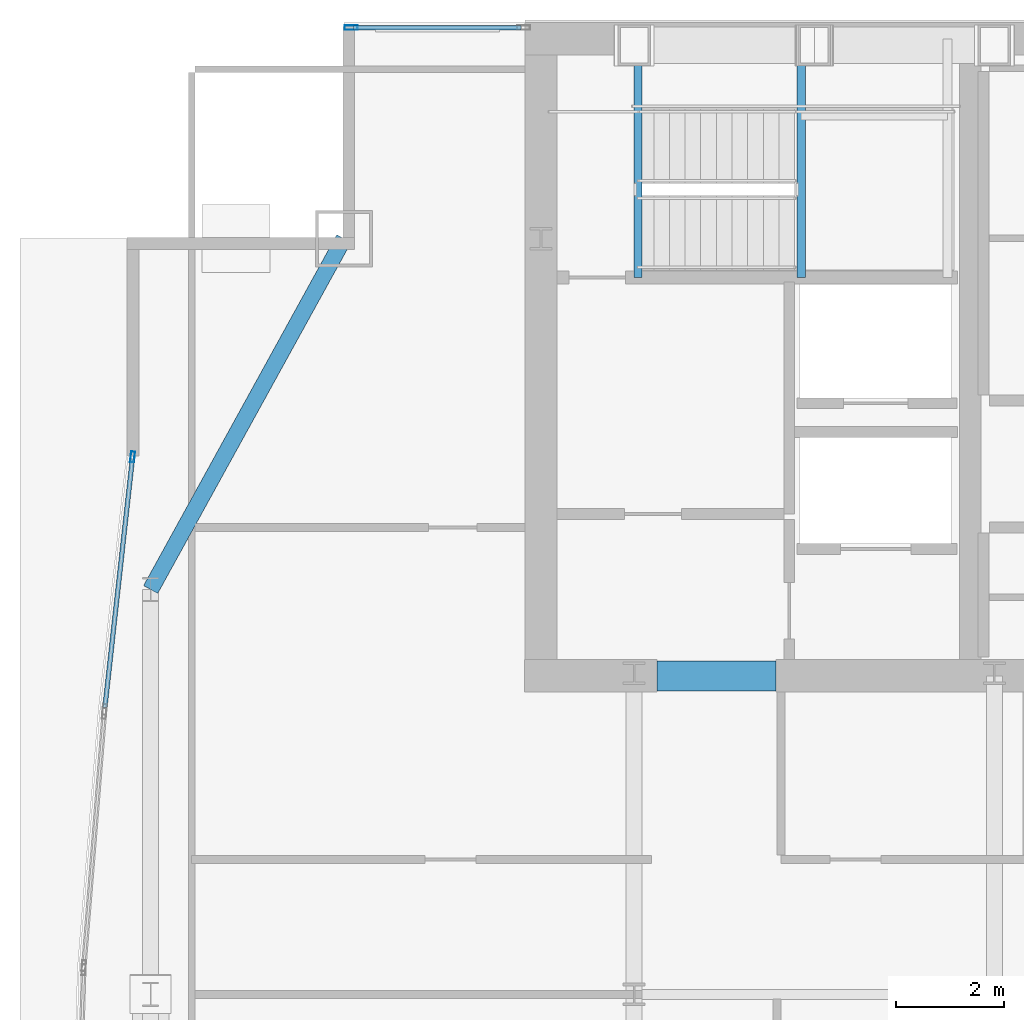
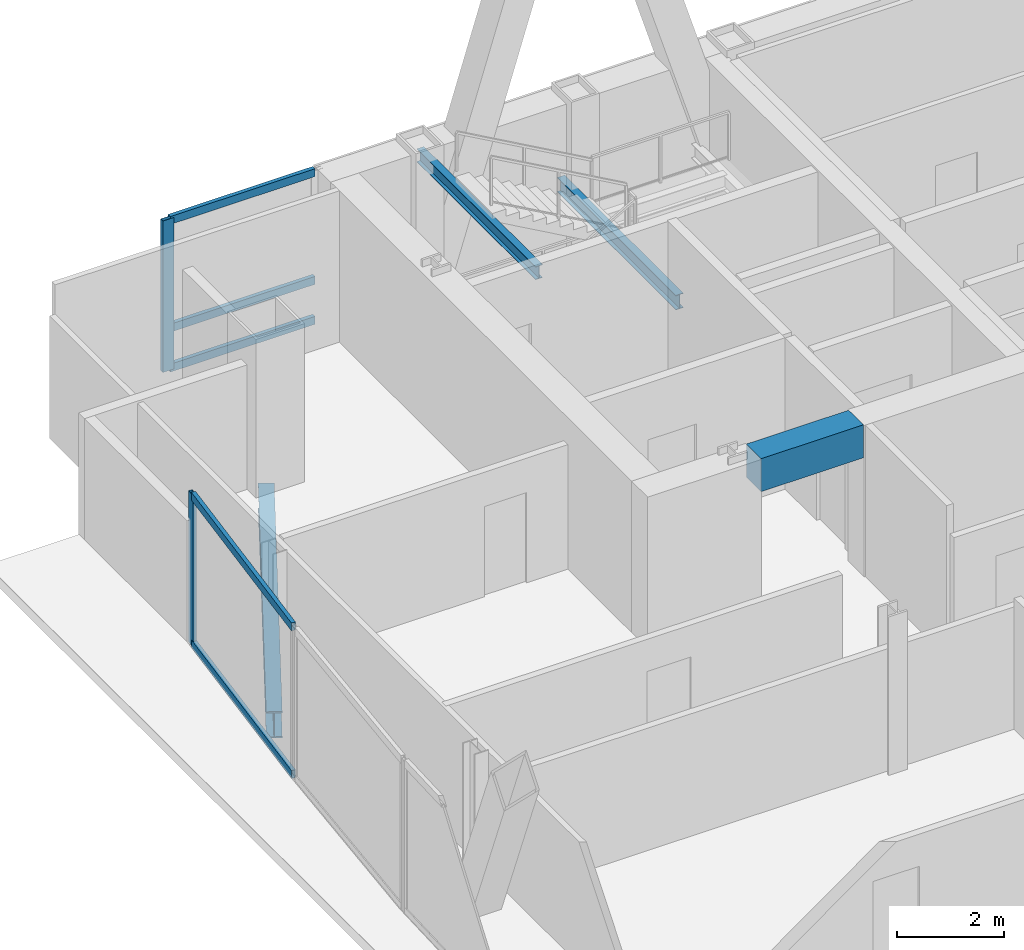
# One storey, part 20 of 30: 7 members, 4 beams, 2 elements without a shape of their own.
"""IFC4 building model written with IfcOpenShell, lengths in metres."""

from ifc_helpers import new_model, si_unit, direction, frame, origin, origin_2d, place, context, subcontext, project, spatial, rectangle, hollow_rectangle, i_section, extrude, material, material_profile, profile_set, type_object, element, aggregate, save


model = new_model("IFC4")

# Units and contexts
model_context = context("Model", 3, precision=1e-05, world=origin(), true_north=direction((0.0, 1.0)))
body_context = subcontext(model_context, "Body", "Model", "MODEL_VIEW")
ifc_project = project(units=[si_unit("LENGTHUNIT", "METRE"), si_unit("AREAUNIT", "SQUARE_METRE"), si_unit("VOLUMEUNIT", "CUBIC_METRE"), si_unit("PLANEANGLEUNIT", "RADIAN"), si_unit("MASSUNIT", "GRAM", prefix="KILO")], contexts=[model_context])

# Site, building, storey
site_placement = place(None, origin())
site = spatial("IfcSite", under=ifc_project, at=site_placement, CompositionType="ELEMENT")
building_placement = place(site_placement, origin())
building = spatial("IfcBuilding", under=site, at=building_placement, Name="Khoronbel Lancet Exchange", CompositionType="ELEMENT")
storey_placement = place(building_placement, frame((0.0, 0.0, 239.0)))
storey = spatial("IfcBuildingStorey", under=building, at=storey_placement, Name="L61", CompositionType="ELEMENT", Elevation=239.0)

# Beams
ifc_material_1 = material(Name="Steel S355", Category="steel")
ifc_material_profile_1 = material_profile(ifc_material_1, i_section(OverallWidth=0.159912109375, OverallDepth=0.330078125, WebThickness=0.007568359375, FlangeThickness=0.011474609375, at=origin_2d()), Name="IPE 330")
ifc_profile_set_1 = profile_set([ifc_material_profile_1], Name="Steel S355")
beam_type_1 = type_object("IfcBeamType", Name="BM-BJ7", PredefinedType="JOIST", material=ifc_profile_set_1)
beam_1_placement = place(storey_placement, frame((21.320068359375, 48.97998046875, 1.43505859375), z_axis=(0.0, 1.0, 0.0), x_axis=(-1.0, 0.0, 0.0)))
element("IfcBeam", 1, at=beam_1_placement, inside=storey, type_object=beam_type_1, Name="Level L61 stair ST1 landing bearer beam 1", PredefinedType="JOIST", context=body_context, shape_type="SweptSolid", body=[
    extrude(i_section(OverallWidth=0.159912109375, OverallDepth=0.330078125, WebThickness=0.007568359375, FlangeThickness=0.011474609375, at=origin_2d()), origin(), (0.0, 0.0, 1.0), 4.419921875),
])
ifc_material_profile_2 = material_profile(ifc_material_1, i_section(OverallWidth=0.14990234375, OverallDepth=0.300048828125, WebThickness=0.007080078125, FlangeThickness=0.0107421875, at=origin_2d()), Name="IPE 300")
ifc_profile_set_2 = profile_set([ifc_material_profile_2], Name="Steel S355")
beam_type_2 = type_object("IfcBeamType", Name="BM-BJ8", PredefinedType="JOIST", material=ifc_profile_set_2)
beam_2_placement = place(storey_placement, frame((18.300048828125, 48.97998046875, 3.159912109375), z_axis=(0.0, 1.0, 0.0), x_axis=(-1.0, 0.0, 0.0)))
element("IfcBeam", 2, at=beam_2_placement, inside=storey, type_object=beam_type_2, Name="Level L61 stair ST1 upper-flight arrival trimmer beam", PredefinedType="JOIST", context=body_context, shape_type="SweptSolid", body=[
    extrude(i_section(OverallWidth=0.14990234375, OverallDepth=0.300048828125, WebThickness=0.007080078125, FlangeThickness=0.0107421875, at=origin_2d()), origin(), (0.0, 0.0, 1.0), 4.419921875),
])
ifc_material_2 = material(Name="Concrete C60/75", Category="concrete")
ifc_material_profile_3 = material_profile(ifc_material_2, rectangle(XDim=0.550048828125, YDim=0.75, at=origin_2d()), Name="RC 550x750")
ifc_profile_set_3 = profile_set([ifc_material_profile_3], Name="Concrete C60/75")
beam_type_3 = type_object("IfcBeamType", Name="BM-BL2", PredefinedType="LINTEL", material=ifc_profile_set_3)
beam_3_placement = place(storey_placement, frame((18.64990234375, 41.60009765625, 3.06494140625), z_axis=(1.0, 0.0, 0.0), x_axis=(0.0, 1.0, 0.0)))
element("IfcBeam", 3, at=beam_3_placement, inside=storey, type_object=beam_type_3, Name="Level L61 rear core coupling lintel L1", PredefinedType="LINTEL", context=body_context, shape_type="SweptSolid", body=[
    extrude(rectangle(XDim=0.550048828125, YDim=0.75, at=origin_2d()), origin(), (0.0, 0.0, 1.0), 2.2001953125),
])
ifc_material_profile_4 = material_profile(ifc_material_1, i_section(OverallWidth=0.300048828125, OverallDepth=0.60009765625, WebThickness=0.015380859375, FlangeThickness=0.030029296875, at=origin_2d()), Name="HEB 600")
ifc_profile_set_4 = profile_set([ifc_material_profile_4], Name="Steel S355")
beam_type_4 = type_object("IfcBeamType", Name="BM-BSP2", PredefinedType="SPANDREL", material=ifc_profile_set_4)
beam_4_placement = place(storey_placement, frame((12.85009765625, 49.699951171875, -0.4599609375), z_axis=(-0.482444051088, -0.875926787791, 0.0), x_axis=(0.875926787791, -0.482444051088, 0.0)))
element("IfcBeam", 4, at=beam_4_placement, inside=storey, type_object=beam_type_4, Name="Level L61 perimeter spandrel beam SP14", PredefinedType="SPANDREL", context=body_context, shape_type="SweptSolid", body=[
    extrude(i_section(OverallWidth=0.300048828125, OverallDepth=0.60009765625, WebThickness=0.015380859375, FlangeThickness=0.030029296875, at=origin_2d()), origin(), (0.0, 0.0, 1.0), 7.420654296875),
])

# Curtain wall, member
ifc_material_3 = material(Name="Low-E Solar Control Insulating Glass", Category="glass")
curtain_wall_type_1 = type_object("IfcCurtainWallType", Name="CW-3", PredefinedType="NOTDEFINED", material=ifc_material_3)
curtain_wall_1_placement = place(storey_placement, origin())
curtain_wall_1 = element("IfcCurtainWall", 5, at=curtain_wall_1_placement, inside=storey, type_object=curtain_wall_type_1, Name="Unitised curtain wall CW-L61-NWFLK", PredefinedType="NOTDEFINED")
ifc_material_4 = material(Name="Bronze-Anodised Aluminium 6063-T6", Category="aluminium")
ifc_material_profile_5 = material_profile(ifc_material_4, hollow_rectangle(XDim=0.0849609375, YDim=0.239990234375, WallThickness=0.006103515625, at=origin_2d()), Name="ALU MULLION 85x240")
ifc_profile_set_5 = profile_set([ifc_material_profile_5], Name="Bronze-Anodised Aluminium 6063-T6")
member_type_1 = type_object("IfcMemberType", Name="MEM-CWM1", PredefinedType="MULLION", material=ifc_profile_set_5)
member_1_placement = place(storey_placement, frame((12.982421875, 53.610107421875, 0.0), z_axis=(0.0, 0.0, 1.0), x_axis=(0.0, -1.0, 0.0)))
member_1 = element("IfcMember", 6, at=member_1_placement, type_object=member_type_1, Name="CW3 mullion 2", PredefinedType="MULLION", context=body_context, shape_type="SweptSolid", body=[
    extrude(hollow_rectangle(XDim=0.0849609375, YDim=0.239990234375, WallThickness=0.006103515625, at=origin_2d()), origin(), (0.0, 0.0, 1.0), 3.43994140625),
])

# Curtain wall, members
curtain_wall_type_2 = type_object("IfcCurtainWallType", Name="CW-4", PredefinedType="NOTDEFINED", material=ifc_material_3)
curtain_wall_2_placement = place(storey_placement, origin())
curtain_wall_2 = element("IfcCurtainWall", 7, at=curtain_wall_2_placement, inside=storey, type_object=curtain_wall_type_2, Name="Unitised curtain wall CW-L61-E09", PredefinedType="NOTDEFINED")
ifc_material_profile_6 = material_profile(ifc_material_4, hollow_rectangle(XDim=0.074951171875, YDim=0.199951171875, WallThickness=0.0048828125, at=origin_2d()), Name="ALU MULLION 75x200")
ifc_profile_set_6 = profile_set([ifc_material_profile_6], Name="Bronze-Anodised Aluminium 6063-T6")
member_type_2 = type_object("IfcMemberType", Name="MEM-CWM2", PredefinedType="MULLION", material=ifc_profile_set_6)
member_2_placement = place(storey_placement, frame((8.935791015625, 45.65771484375, 0.0), z_axis=(0.0, 0.0, 1.0), x_axis=(-0.993947317123, 0.109857775256, 0.0)))
member_2 = element("IfcMember", 8, at=member_2_placement, type_object=member_type_2, Name="CW4 mullion 2", PredefinedType="MULLION", context=body_context, shape_type="SweptSolid", body=[
    extrude(hollow_rectangle(XDim=0.074951171875, YDim=0.199951171875, WallThickness=0.0048828125, at=origin_2d()), origin(), (0.0, 0.0, 1.0), 3.43994140625),
])
ifc_material_profile_7 = material_profile(ifc_material_4, hollow_rectangle(XDim=0.0849609375, YDim=0.179931640625, WallThickness=0.0048828125, at=origin_2d()), Name="ALU TRANSOM 85x180")
ifc_profile_set_7 = profile_set([ifc_material_profile_7], Name="Bronze-Anodised Aluminium 6063-T6")
member_type_3 = type_object("IfcMemberType", Name="MEM-CWT1", PredefinedType="USERDEFINED", material=ifc_profile_set_7)
member_3_placement = place(storey_placement, frame((8.4228515625, 41.015869140625, 0.04248046875), z_axis=(0.109829937442, 0.993950393552, 0.0), x_axis=(-0.993950393552, 0.109829937442, 0.0)))
member_3 = element("IfcMember", 9, at=member_3_placement, type_object=member_type_3, Name="CW4 transom 1.1", ObjectType="TRANSOM", PredefinedType="USERDEFINED", context=body_context, shape_type="SweptSolid", body=[
    extrude(hollow_rectangle(XDim=0.0849609375, YDim=0.179931640625, WallThickness=0.0048828125, at=origin_2d()), origin(), (0.0, 0.0, 1.0), 4.632568359375),
])
member_4_placement = place(storey_placement, frame((8.4228515625, 41.015869140625, 3.3974609375), z_axis=(0.109829937442, 0.993950393552, 0.0), x_axis=(-0.993950393552, 0.109829937442, 0.0)))
member_4 = element("IfcMember", 10, at=member_4_placement, type_object=member_type_3, Name="CW4 transom 1.2", ObjectType="TRANSOM", PredefinedType="USERDEFINED", context=body_context, shape_type="SweptSolid", body=[
    extrude(hollow_rectangle(XDim=0.0849609375, YDim=0.179931640625, WallThickness=0.0048828125, at=origin_2d()), origin(), (0.0, 0.0, 1.0), 4.632568359375),
])
aggregate(curtain_wall_2, [member_2, member_3, member_4])

# Member
member_5_placement = place(storey_placement, frame((16.135009765625, 53.610107421875, 0.04248046875), z_axis=(-1.0, 0.0, 0.0), x_axis=(0.0, -1.0, 0.0)))
member_5 = element("IfcMember", 11, at=member_5_placement, type_object=member_type_3, Name="CW3 transom 1.1", ObjectType="TRANSOM", PredefinedType="USERDEFINED", context=body_context, shape_type="SweptSolid", body=[
    extrude(hollow_rectangle(XDim=0.0849609375, YDim=0.179931640625, WallThickness=0.0048828125, at=origin_2d()), origin(), (0.0, 0.0, 1.0), 3.110107421875),
])

member_6_placement = place(storey_placement, frame((16.135009765625, 53.610107421875, 0.949951171875), z_axis=(-1.0, 0.0, 0.0), x_axis=(0.0, -1.0, 0.0)))
member_6 = element("IfcMember", 12, at=member_6_placement, type_object=member_type_3, Name="CW3 transom 1.2", ObjectType="TRANSOM", PredefinedType="USERDEFINED", context=body_context, shape_type="SweptSolid", body=[
    extrude(hollow_rectangle(XDim=0.0849609375, YDim=0.179931640625, WallThickness=0.0048828125, at=origin_2d()), origin(), (0.0, 0.0, 1.0), 3.110107421875),
])

member_7_placement = place(storey_placement, frame((16.135009765625, 53.610107421875, 3.3974609375), z_axis=(-1.0, 0.0, 0.0), x_axis=(0.0, -1.0, 0.0)))
member_7 = element("IfcMember", 13, at=member_7_placement, type_object=member_type_3, Name="CW3 transom 1.3", ObjectType="TRANSOM", PredefinedType="USERDEFINED", context=body_context, shape_type="SweptSolid", body=[
    extrude(hollow_rectangle(XDim=0.0849609375, YDim=0.179931640625, WallThickness=0.0048828125, at=origin_2d()), origin(), (0.0, 0.0, 1.0), 3.110107421875),
])

aggregate(curtain_wall_1, [member_1, member_5, member_6, member_7])

save(model, "model.ifc")
